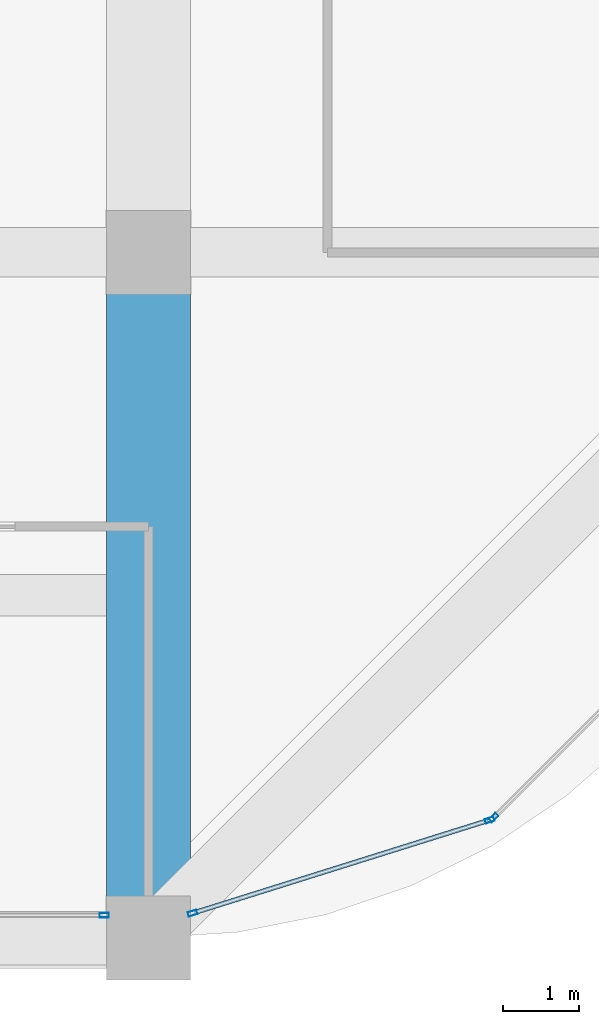
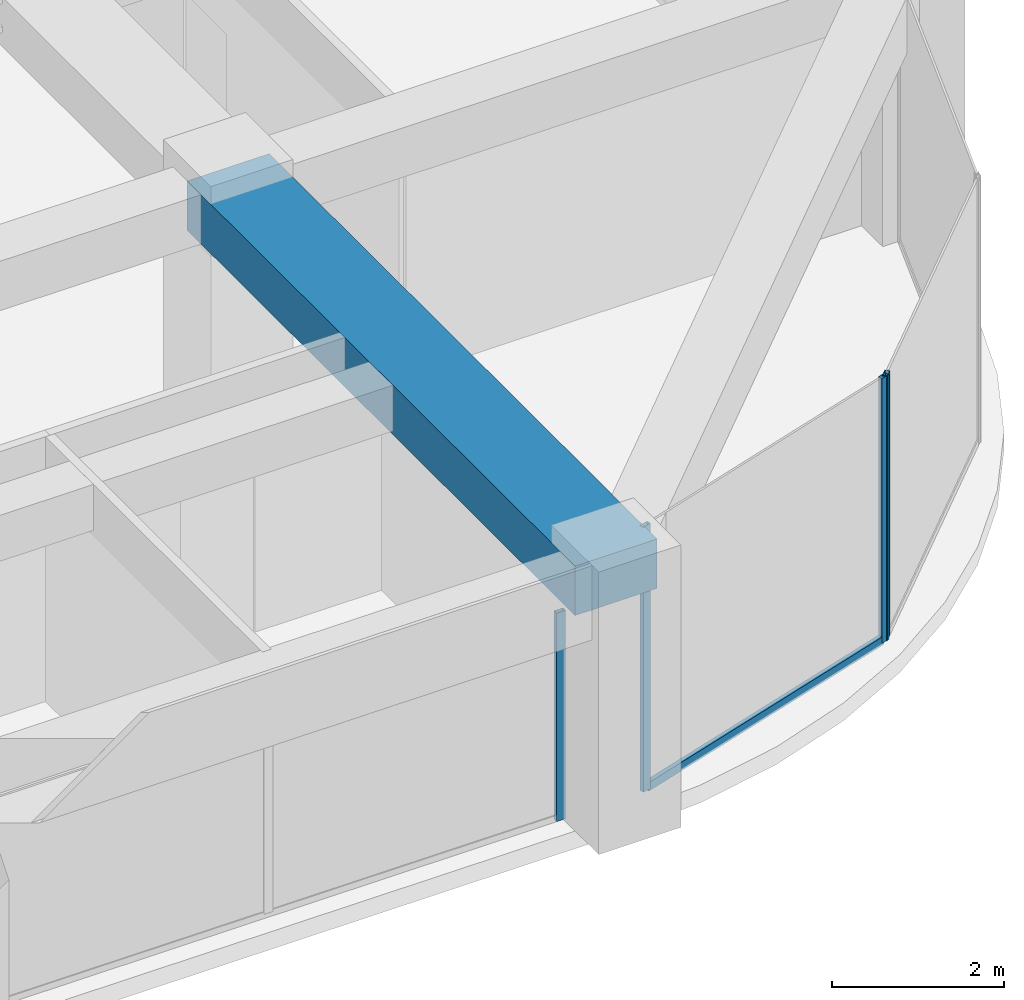
# One storey, part 18 of 44: 5 members, 1 beam, 3 elements without a shape of their own.
"""IFC4 building model written with IfcOpenShell, lengths in metres."""

from ifc_helpers import new_model, si_unit, direction, frame, origin, origin_2d, place, context, subcontext, project, spatial, rectangle, hollow_rectangle, extrude, material, material_profile, profile_set, type_object, element, aggregate, save


model = new_model("IFC4")

# Units and contexts
model_context = context("Model", 3, precision=1e-05, world=origin(), true_north=direction((0.0, 1.0)))
body_context = subcontext(model_context, "Body", "Model", "MODEL_VIEW")
ifc_project = project(units=[si_unit("LENGTHUNIT", "METRE"), si_unit("AREAUNIT", "SQUARE_METRE"), si_unit("VOLUMEUNIT", "CUBIC_METRE"), si_unit("PLANEANGLEUNIT", "RADIAN"), si_unit("MASSUNIT", "GRAM", prefix="KILO")], contexts=[model_context])

# Site, building, storey
site_placement = place(None, origin())
site = spatial("IfcSite", under=ifc_project, at=site_placement, CompositionType="ELEMENT")
building_placement = place(site_placement, origin())
building = spatial("IfcBuilding", under=site, at=building_placement, Name="Zorevar Civic Tower", CompositionType="ELEMENT")
storey_placement = place(building_placement, frame((0.0, 0.0, 275.39990234375)))
storey = spatial("IfcBuildingStorey", under=building, at=storey_placement, Name="L67", CompositionType="ELEMENT", Elevation=275.39990234375)

# Beam
ifc_material_1 = material(Name="Concrete C50/60", Category="concrete")
ifc_material_profile_1 = material_profile(ifc_material_1, rectangle(XDim=1.10009765625, YDim=0.699951171875, at=origin_2d()), Name="RC 1100x700")
ifc_profile_set_1 = profile_set([ifc_material_profile_1], Name="Concrete C50/60")
beam_type = type_object("IfcBeamType", Name="Beam RC 1100x700", PredefinedType="BEAM", material=ifc_profile_set_1)
beam_placement = place(storey_placement, frame((45.0, 0.0, 3.400146484375), z_axis=(0.0, 1.0, 0.0), x_axis=(-1.0, 0.0, 0.0)))
element("IfcBeam", 1, at=beam_placement, inside=storey, type_object=beam_type, Name="Girder L68", PredefinedType="BEAM", context=body_context, shape_type="SweptSolid", body=[
    extrude(rectangle(XDim=1.10009765625, YDim=0.699951171875, at=origin_2d()), origin(), (0.0, 0.0, 1.0), 9.0),
])

# Curtain wall, member
ifc_material_2 = material(Name="Dark grey solar-control glass in black aluminium frame", Category="aluminium")
curtain_wall_type = type_object("IfcCurtainWallType", Name="Curtain wall CW5 top zone", PredefinedType="NOTDEFINED", material=ifc_material_2)
curtain_wall_1_placement = place(storey_placement, origin())
curtain_wall_1 = element("IfcCurtainWall", 2, at=curtain_wall_1_placement, inside=storey, type_object=curtain_wall_type, Name="CW5 L67", PredefinedType="NOTDEFINED")
ifc_material_3 = material(Name="Aluminium, black anodised", Category="aluminium")
ifc_material_profile_2 = material_profile(ifc_material_3, hollow_rectangle(XDim=0.06005859375, YDim=0.1201171875, WallThickness=0.0029296875, at=origin_2d()), Name="AL 120x60x3")
ifc_profile_set_2 = profile_set([ifc_material_profile_2], Name="Aluminium, black anodised")
member_type_1 = type_object("IfcMemberType", Name="CW5 mullion AL 120x60x3", PredefinedType="MULLION", material=ifc_profile_set_2)
member_1_placement = place(storey_placement, frame((44.419921875, 0.300048828125, 0.0), z_axis=(0.0, 0.0, 1.0), x_axis=(0.0, 1.0, 0.0)))
member_1 = element("IfcMember", 3, at=member_1_placement, type_object=member_type_1, Name="CW5 mullion 3", PredefinedType="MULLION", context=body_context, shape_type="SweptSolid", body=[
    extrude(hollow_rectangle(XDim=0.06005859375, YDim=0.1201171875, WallThickness=0.0029296875, at=origin_2d()), origin(), (0.0, 0.0, 1.0), 2.9501953125),
])
aggregate(curtain_wall_1, [member_1])

# Curtain wall, members
curtain_wall_2_placement = place(storey_placement, origin())
curtain_wall_2 = element("IfcCurtainWall", 4, at=curtain_wall_2_placement, inside=storey, type_object=curtain_wall_type, Name="CW5 L67", PredefinedType="NOTDEFINED")
member_2_placement = place(storey_placement, frame((45.57861328125, 0.326416015625, 0.0), z_axis=(0.0, 0.0, 1.0), x_axis=(-0.299317920238, 0.954153437674, 0.0)))
member_2 = element("IfcMember", 5, at=member_2_placement, type_object=member_type_1, Name="CW5 mullion 1", PredefinedType="MULLION", context=body_context, shape_type="SweptSolid", body=[
    extrude(hollow_rectangle(XDim=0.06005859375, YDim=0.1201171875, WallThickness=0.0029296875, at=origin_2d()), origin(), (0.0, 0.0, 1.0), 3.75),
])
member_3_placement = place(storey_placement, frame((49.479248046875, 1.550048828125, 0.0), z_axis=(0.0, 0.0, 1.0), x_axis=(-0.299317920238, 0.954153437674, 0.0)))
member_3 = element("IfcMember", 6, at=member_3_placement, type_object=member_type_1, Name="CW5 mullion 2", PredefinedType="MULLION", context=body_context, shape_type="SweptSolid", body=[
    extrude(hollow_rectangle(XDim=0.06005859375, YDim=0.1201171875, WallThickness=0.0029296875, at=origin_2d()), origin(), (0.0, 0.0, 1.0), 3.75),
])

# Curtain wall, member
curtain_wall_3_placement = place(storey_placement, origin())
curtain_wall_3 = element("IfcCurtainWall", 7, at=curtain_wall_3_placement, inside=storey, type_object=curtain_wall_type, Name="CW5 L67", PredefinedType="NOTDEFINED")
member_4_placement = place(storey_placement, frame((49.529052734375, 1.580322265625, 0.0), z_axis=(0.0, 0.0, 1.0), x_axis=(-0.707106781187, 0.707106781187, 0.0)))
member_4 = element("IfcMember", 8, at=member_4_placement, type_object=member_type_1, Name="CW5 mullion 1", PredefinedType="MULLION", context=body_context, shape_type="SweptSolid", body=[
    extrude(hollow_rectangle(XDim=0.06005859375, YDim=0.1201171875, WallThickness=0.0029296875, at=origin_2d()), origin(), (0.0, 0.0, 1.0), 3.75),
])
aggregate(curtain_wall_3, [member_4])

# Member
ifc_material_4 = material(Name="Aluminium, black anodised", Category="aluminium")
ifc_material_profile_3 = material_profile(ifc_material_4, hollow_rectangle(XDim=0.06005859375, YDim=0.1201171875, WallThickness=0.0029296875, at=origin_2d()), Name="AL 120x60x3")
ifc_profile_set_3 = profile_set([ifc_material_profile_3], Name="Aluminium, black anodised")
member_type_2 = type_object("IfcMemberType", Name="CW5 transom AL 120x60x3", PredefinedType="USERDEFINED", material=ifc_profile_set_3)
member_5_placement = place(storey_placement, frame((45.607177734375, 0.33544921875, 0.030029296875), z_axis=(0.954163457351, 0.299285978047, 0.0), x_axis=(-0.299285978047, 0.954163457351, 0.0)))
member_5 = element("IfcMember", 9, at=member_5_placement, type_object=member_type_2, Name="CW5 sill transom", ObjectType="TRANSOM", PredefinedType="USERDEFINED", context=body_context, shape_type="SweptSolid", body=[
    extrude(hollow_rectangle(XDim=0.06005859375, YDim=0.1201171875, WallThickness=0.0029296875, at=origin_2d()), origin(), (0.0, 0.0, 1.0), 4.028076171875),
])

aggregate(curtain_wall_2, [member_2, member_3, member_5])

save(model, "model.ifc")
